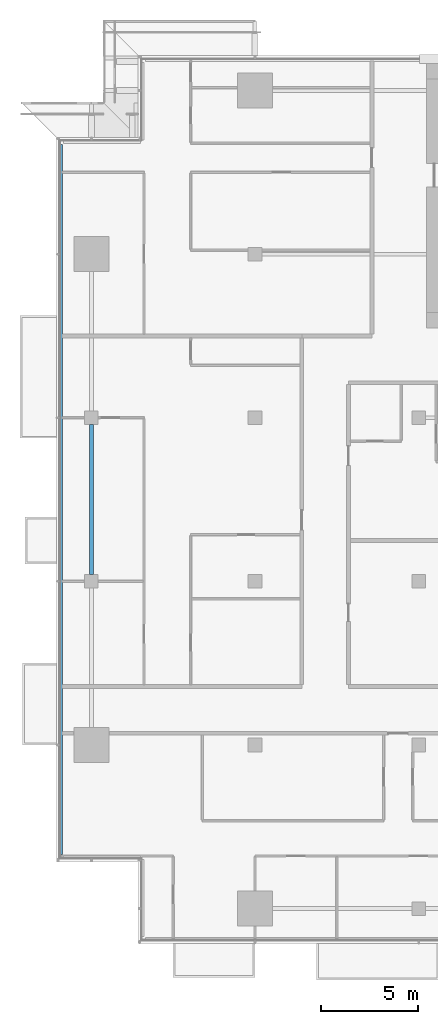
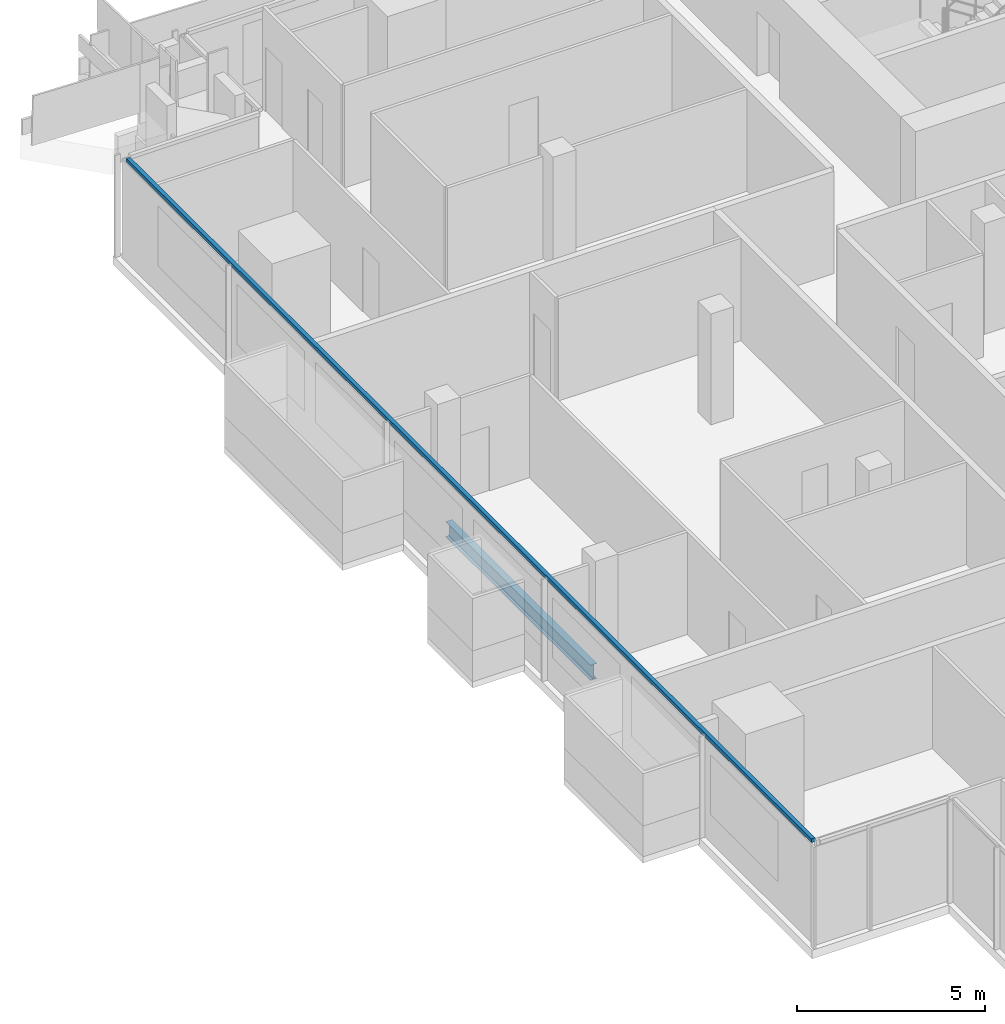
# One storey, part 3 of 30: 1 beam, 1 member, 1 element without a shape of its own.
"""IFC4 building model written with IfcOpenShell, lengths in metres."""

from ifc_helpers import new_model, si_unit, direction, frame, origin, origin_2d, place, context, subcontext, project, spatial, rectangle, i_section, extrude, material, material_profile, profile_set, type_object, element, aggregate, save


model = new_model("IFC4")

# Units and contexts
model_context = context("Model", 3, precision=1e-05, world=origin(), true_north=direction((0.0, 1.0)))
body_context = subcontext(model_context, "Body", "Model", "MODEL_VIEW")
ifc_project = project(units=[si_unit("LENGTHUNIT", "METRE"), si_unit("AREAUNIT", "SQUARE_METRE"), si_unit("VOLUMEUNIT", "CUBIC_METRE"), si_unit("PLANEANGLEUNIT", "RADIAN"), si_unit("MASSUNIT", "GRAM", prefix="KILO")], contexts=[model_context])

# Site, building, storey
site_placement = place(None, origin())
site = spatial("IfcSite", under=ifc_project, at=site_placement, CompositionType="ELEMENT")
building_placement = place(site_placement, origin())
building = spatial("IfcBuilding", under=site, at=building_placement, Name="Saffron Gate Tower", CompositionType="ELEMENT")
storey_placement = place(building_placement, frame((0.0, 0.0, 158.25)))
storey = spatial("IfcBuildingStorey", under=building, at=storey_placement, Name="L38", CompositionType="ELEMENT", Elevation=158.25)

# Beam
ifc_material_1 = material(Name="Structural steel S355", Category="steel")
ifc_material_profile_1 = material_profile(ifc_material_1, i_section(OverallWidth=0.199951171875, OverallDepth=0.5, WebThickness=0.01025390625, FlangeThickness=0.01611328125, FilletRadius=0.02099609375, at=origin_2d()))
ifc_profile_set_1 = profile_set([ifc_material_profile_1], Name="Structural steel S355")
beam_type = type_object("IfcBeamType", Name="B11 IPE 500", PredefinedType="SPANDREL", material=ifc_profile_set_1)
beam_placement = place(storey_placement, frame((49.800048828125, 48.949951171875, -0.530029296875), z_axis=(0.0, 1.0, 0.0), x_axis=(-1.0, 0.0, 0.0)))
element("IfcBeam", 1, at=beam_placement, inside=storey, type_object=beam_type, Name="B11 SPANDREL BEAM", PredefinedType="SPANDREL", context=body_context, shape_type="SweptSolid", body=[
    extrude(i_section(OverallWidth=0.199951171875, OverallDepth=0.5, WebThickness=0.01025390625, FlangeThickness=0.01611328125, FilletRadius=0.02099609375, at=origin_2d()), origin(), (0.0, 0.0, 1.0), 7.699951171875),
])

# Curtain wall, member
ifc_material_2 = material(Name="Aluminium, bronze anodised", Category="aluminium")
curtain_wall_type = type_object("IfcCurtainWallType", Name="CWS2 curtain wall side facades", PredefinedType="NOTDEFINED", material=ifc_material_2)
curtain_wall_placement = place(storey_placement, origin())
curtain_wall = element("IfcCurtainWall", 2, at=curtain_wall_placement, inside=storey, type_object=curtain_wall_type, Name="CWS2 run 10", PredefinedType="NOTDEFINED")
ifc_material_profile_2 = material_profile(ifc_material_2, rectangle(XDim=0.1201171875, YDim=0.1201171875, at=origin_2d()))
ifc_profile_set_2 = profile_set([ifc_material_profile_2], Name="Aluminium, bronze anodised")
member_type = type_object("IfcMemberType", Name="CWS2 head transom", PredefinedType="USERDEFINED", material=ifc_profile_set_2)
member_placement = place(storey_placement, frame((48.248046875, 71.031982421875, 3.260009765625), z_axis=(0.0, -1.0, 0.0), x_axis=(1.0, 0.0, 0.0)))
member = element("IfcMember", 3, at=member_placement, type_object=member_type, Name="CWS2 head transom", ObjectType="TRANSOM", PredefinedType="USERDEFINED", context=body_context, shape_type="SweptSolid", body=[
    extrude(rectangle(XDim=0.1201171875, YDim=0.1201171875, at=origin_2d()), origin(), (0.0, 0.0, 1.0), 36.4638671875),
])
aggregate(curtain_wall, [member])

save(model, "model.ifc")
